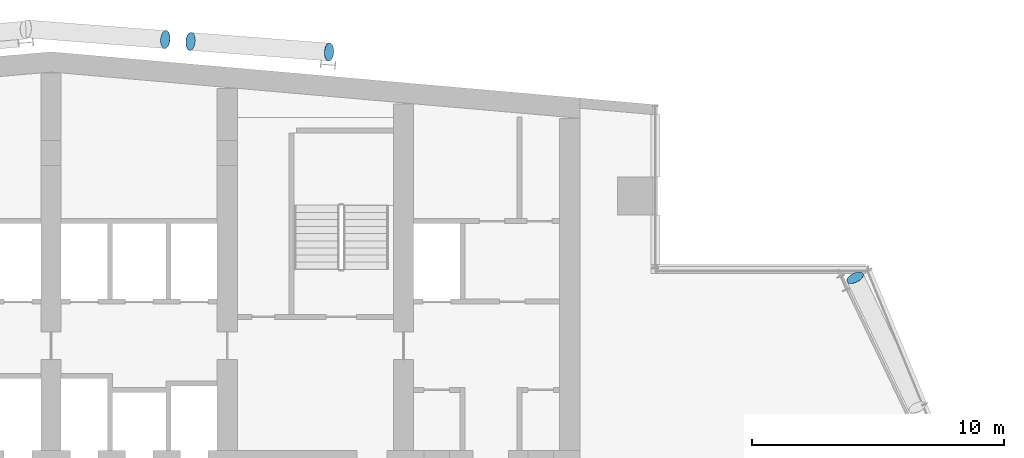
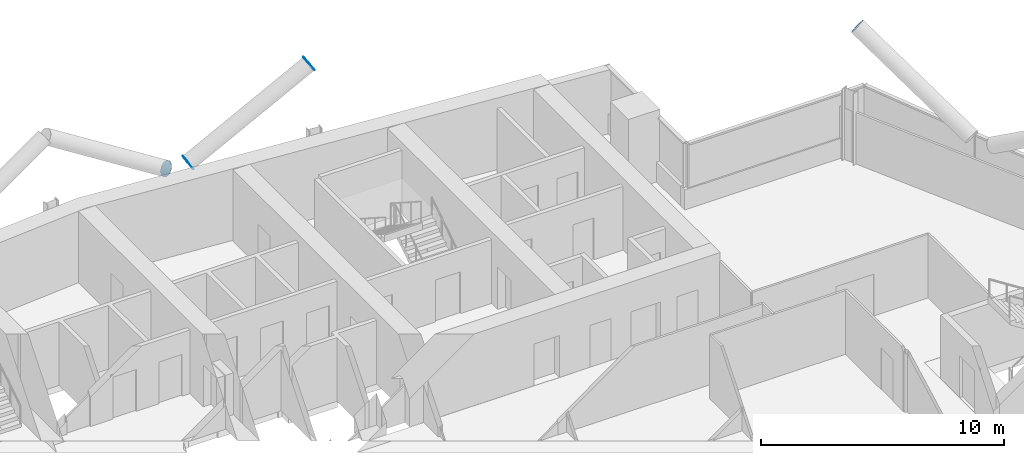
# One storey, part 22 of 26: 4 discrete accessories.
"""IFC4 building model written with IfcOpenShell, lengths in metres."""

import ifcopenshell
import ifcopenshell.guid

model = None  # the IFC model being written
_history = None  # IfcOwnerHistory: only IFC2X3 demands one
_inside = {}  # id of a spatial element -> (the spatial element, [elements in it])
_under = {}  # id of a project, library or spatial element -> (it, [spatial elements below it])
_declared = {}  # id of a project -> (the project, [libraries it declares])
_typed = {}  # id of a type object -> (the type object, [elements of that type])
_made_of = {}  # id of a material, layer set ... -> (it, [elements and type objects made of it])


def new_model(schema):
    """Start an empty IFC model of exactly this schema.

    Asked for "IFC4X3", IfcOpenShell would pick the latest addendum, in which some entities
    have other attributes; the version numbers below select the first issue.
    IFC2X3 requires an IfcOwnerHistory on every rooted entity: one is made here for all.
    """
    global model, _history
    if schema == "IFC4X3":
        model = ifcopenshell.file(schema_version=(4, 3, 0, 0))
    else:
        model = ifcopenshell.file(schema=schema)
    _inside.clear()
    _under.clear()
    _declared.clear()
    _typed.clear()
    _made_of.clear()
    _history = None
    if model.schema == "IFC2X3":
        org = make("IfcOrganization", Name="unknown")
        user = make(
            "IfcPersonAndOrganization",
            ThePerson=make("IfcPerson", FamilyName="unknown"),
            TheOrganization=org,
        )
        app = make(
            "IfcApplication",
            ApplicationDeveloper=org,
            Version="unknown",
            ApplicationFullName="unknown",
            ApplicationIdentifier="unknown",
        )
        _history = make(
            "IfcOwnerHistory",
            OwningUser=user,
            OwningApplication=app,
            ChangeAction="ADDED",
            CreationDate=0,
        )
    return model


def make(cls, **values):
    """One entity of the class cls with the attributes given. An attribute that is None is left unset."""
    return model.create_entity(
        cls, **{name: value for name, value in values.items() if value is not None}
    )


def rooted(cls, **values):
    """An entity with a GlobalId (a new one), such as an element, a storey or a relation."""
    return make(cls, GlobalId=ifcopenshell.guid.new(), OwnerHistory=_history, **values)


def si_unit(unit_type, name, prefix=None):
    """IfcSIUnit, for example si_unit("LENGTHUNIT", "METRE", prefix="MILLI")."""
    return make("IfcSIUnit", UnitType=unit_type, Prefix=prefix, Name=name)


def assignment(units):
    """IfcUnitAssignment: the units of a project."""
    return None if units is None else make("IfcUnitAssignment", Units=units)


def point(xyz):
    """IfcCartesianPoint."""
    return None if xyz is None else make("IfcCartesianPoint", Coordinates=xyz)


def direction(xyz):
    """IfcDirection."""
    return None if xyz is None else make("IfcDirection", DirectionRatios=xyz)


def frame(location, z_axis=None, x_axis=None):
    """IfcAxis2Placement3D, a coordinate frame: its origin and axes. An axis left out is left unset."""
    return make(
        "IfcAxis2Placement3D",
        Location=point(location),
        Axis=direction(z_axis),
        RefDirection=direction(x_axis),
    )


def frame_2d(location, x_axis=None):
    """IfcAxis2Placement2D, a coordinate frame in the plane: its origin and x axis."""
    return make(
        "IfcAxis2Placement2D", Location=point(location), RefDirection=direction(x_axis)
    )


def origin():
    """The frame at (0, 0, 0) with its axes left unset."""
    return frame((0.0, 0.0, 0.0))


def origin_2d():
    """The frame at (0, 0) in the plane with its x axis left unset."""
    return frame_2d((0.0, 0.0))


def place(relative_to, where):
    """IfcLocalPlacement: puts the frame where relative to a parent placement (None: the world)."""
    return make(
        "IfcLocalPlacement", PlacementRelTo=relative_to, RelativePlacement=where
    )


def context(
    kind, dimensions, precision=None, world=None, true_north=None, identifier=None
):
    """IfcGeometricRepresentationContext, for example the 3D "Model" context."""
    return make(
        "IfcGeometricRepresentationContext",
        ContextIdentifier=identifier,
        ContextType=kind,
        CoordinateSpaceDimension=dimensions,
        Precision=precision,
        WorldCoordinateSystem=world,
        TrueNorth=true_north,
    )


def subcontext(parent, identifier, kind, view, scale=None):
    """IfcGeometricRepresentationSubContext, for example "Body" below "Model"."""
    return make(
        "IfcGeometricRepresentationSubContext",
        ContextIdentifier=identifier,
        ContextType=kind,
        ParentContext=parent,
        TargetScale=scale,
        TargetView=view,
    )


def project(units=None, contexts=None):
    """IfcProject with its units and contexts."""
    return rooted(
        "IfcProject",
        Name="project",
        RepresentationContexts=contexts,
        UnitsInContext=assignment(units),
    )


def spatial(cls, under=None, at=None, **own):
    """A site, building, storey or space (cls), placed at a placement, below another one or the project."""
    s = rooted(cls, ObjectPlacement=at, **own)
    if under is not None:
        _under.setdefault(under.id(), (under, []))[1].append(s)
    return s


def profile(cls, at=None, kind="AREA", **sizes):
    """A parametric profile (cls). Its sizes go by their IFC names, for example OverallWidth=200.0."""
    return make(cls, ProfileType=kind, Position=at, **sizes)


def circle(**sizes):
    """IfcCircleProfileDef."""
    return profile("IfcCircleProfileDef", **sizes)


def extrude(swept, where, along, depth):
    """IfcExtrudedAreaSolid: the profile swept, set in the frame where, extruded along a direction by depth."""
    return make(
        "IfcExtrudedAreaSolid",
        SweptArea=swept,
        Position=where,
        ExtrudedDirection=direction(along),
        Depth=depth,
    )


def shape(context_of_items, identifier, shape_type, items):
    """IfcShapeRepresentation: the items that make up one representation, for example the "Body"."""
    return make(
        "IfcShapeRepresentation",
        ContextOfItems=context_of_items,
        RepresentationIdentifier=identifier,
        RepresentationType=shape_type,
        Items=items,
    )


def material(Name=None, Category=None):
    """IfcMaterial."""
    return make("IfcMaterial", Name=Name, Category=Category)


def material_profile(
    of_material, cross_section, Name=None, Category=None, Priority=None
):
    """IfcMaterialProfile: a cross section and its material."""
    return make(
        "IfcMaterialProfile",
        Name=Name,
        Material=of_material,
        Profile=cross_section,
        Priority=Priority,
        Category=Category,
    )


def profile_set(profiles, Name=None, composite=None):
    """IfcMaterialProfileSet."""
    return make(
        "IfcMaterialProfileSet",
        Name=Name,
        MaterialProfiles=profiles,
        CompositeProfile=composite,
    )


def made_of(thing, what):
    """Note that an element or type object is made of a material, layer set ...; save() writes the relation."""
    if what is not None:
        _made_of.setdefault(what.id(), (what, []))[1].append(thing)
    return thing


def type_object(cls, material=None, **own):
    """A type object (cls), such as IfcWallType, which elements share."""
    return made_of(rooted(cls, **own), material)


def element(
    cls,
    number,
    at=None,
    inside=None,
    cuts=None,
    type_object=None,
    material=None,
    context=None,
    identifier="Body",
    shape_type=None,
    held_by="IfcProductDefinitionShape",
    body=None,
    shapes=None,
    **own,
):
    """One element of the class cls, such as IfcWall. Its Tag is "e" and its number.

    at: its placement. inside: the storey or other place that contains it. cuts: it is an
    opening in that element (IfcRelVoidsElement). A single representation is given by context,
    identifier, shape_type and body (its items); several are given by shapes. held_by: the class
    of the entity that holds the representations. save() writes the other relations.
    """
    e = rooted(cls, Tag="e%d" % number, ObjectPlacement=at, **own)
    if body is not None:
        shapes = [shape(context, identifier, shape_type, body)]
    if shapes is not None:
        e.Representation = make(held_by, Representations=shapes)
    if inside is not None:
        _inside.setdefault(inside.id(), (inside, []))[1].append(e)
    if cuts is not None:
        rooted(
            "IfcRelVoidsElement", RelatingBuildingElement=cuts, RelatedOpeningElement=e
        )
    if type_object is not None:
        _typed.setdefault(type_object.id(), (type_object, []))[1].append(e)
    return made_of(e, material)


def aggregate(whole, parts):
    """IfcRelAggregates: a whole, such as a stair, and the parts it consists of."""
    return rooted("IfcRelAggregates", RelatingObject=whole, RelatedObjects=parts)


def save(model, path):
    """Write the relations noted so far, then the file.

    IfcRelAggregates (storeys below a building ...), IfcRelContainedInSpatialStructure (elements
    in a storey), IfcRelDefinesByType, IfcRelAssociatesMaterial and IfcRelDeclares: one each for
    every whole, place, type object, material and project.
    """
    for whole, parts in _under.values():
        aggregate(whole, parts)
    for where, things in _inside.values():
        rooted(
            "IfcRelContainedInSpatialStructure",
            RelatedElements=things,
            RelatingStructure=where,
        )
    for kind, things in _typed.values():
        rooted("IfcRelDefinesByType", RelatedObjects=things, RelatingType=kind)
    for what, things in _made_of.values():
        rooted("IfcRelAssociatesMaterial", RelatedObjects=things, RelatingMaterial=what)
    for by, libraries in _declared.values():
        rooted("IfcRelDeclares", RelatingContext=by, RelatedDefinitions=libraries)
    model.write(path)


model = new_model("IFC4")

# Units and contexts
model_context = context("Model", 3, precision=1e-05, world=origin(), true_north=direction((0.0, 1.0)))
body_context = subcontext(model_context, "Body", "Model", "MODEL_VIEW")
ifc_project = project(units=[si_unit("LENGTHUNIT", "METRE"), si_unit("AREAUNIT", "SQUARE_METRE"), si_unit("VOLUMEUNIT", "CUBIC_METRE"), si_unit("PLANEANGLEUNIT", "RADIAN"), si_unit("MASSUNIT", "GRAM", prefix="KILO")], contexts=[model_context])

# Site, building, storey
site_placement = place(None, origin())
site = spatial("IfcSite", under=ifc_project, at=site_placement, CompositionType="ELEMENT")
building_placement = place(site_placement, origin())
building = spatial("IfcBuilding", under=site, at=building_placement, Name="Wharfspan Tower", CompositionType="ELEMENT")
storey_placement = place(building_placement, frame((0.0, 0.0, 173.5)))
storey = spatial("IfcBuildingStorey", under=building, at=storey_placement, Name="L42", CompositionType="ELEMENT", Elevation=173.5)

# Discrete accessories
ifc_material = material(Name="Steel S460NH", Category="steel")
ifc_material_profile = material_profile(ifc_material, circle(Radius=0.355469, at=origin_2d()))
ifc_profile_set = profile_set([ifc_material_profile], Name="Steel S460NH")
discrete_accessory_type = type_object("IfcDiscreteAccessoryType", Name="End plate CHS 711x36", PredefinedType="BRACKET", material=ifc_profile_set)
for number, where, z_axis, x_axis, name in (
    (1, (68.938721, 41.643066, 6.5), (-0.385682, 0.771364, 0.506208), (-0.894428, -0.447214, 0.0), "End plate CHS 711x36"),
    (2, (42.534668, 51.038086, 3.197998), (0.855186, -0.073302, 0.513112), (0.085402, 0.996345, -1e-06), "End plate CHS 711x36"),
    (3, (48.036865, 50.617676, 6.5), (0.856465, -0.048941, 0.513879), (0.05705, 0.998372, 0.0), "End plate CHS 711x36"),
    (4, (41.541992, 51.11377, 3.197998), (-0.855186, 0.073302, 0.513112), (-0.085402, -0.996345, -1e-06), "End plate CHS 711x36"),
):
    element("IfcDiscreteAccessory", number, at=place(storey_placement, frame(where, z_axis=z_axis, x_axis=x_axis)), inside=storey, type_object=discrete_accessory_type, Name=name, PredefinedType="BRACKET", context=body_context, shape_type="SweptSolid", body=[
        extrude(circle(Radius=0.355469, at=origin_2d()), origin(), (0.0, 0.0, 1.0), 0.01001),
    ])

save(model, "model.ifc")
